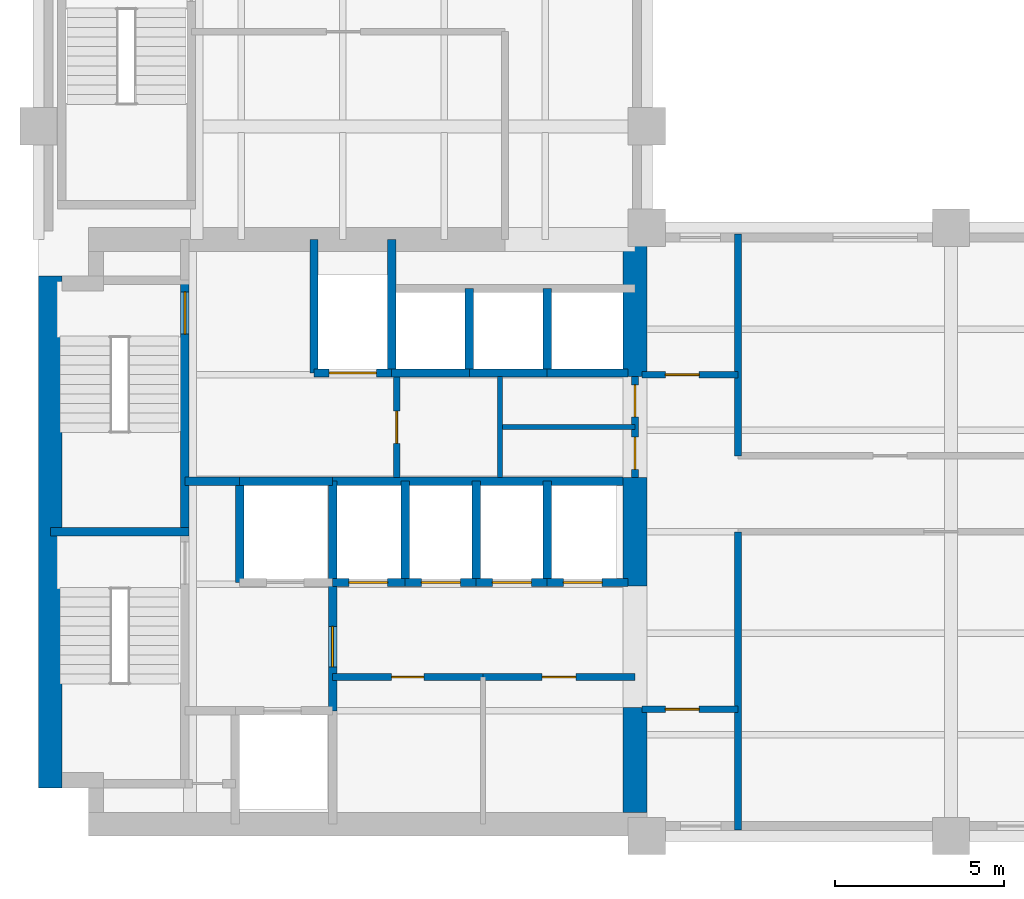
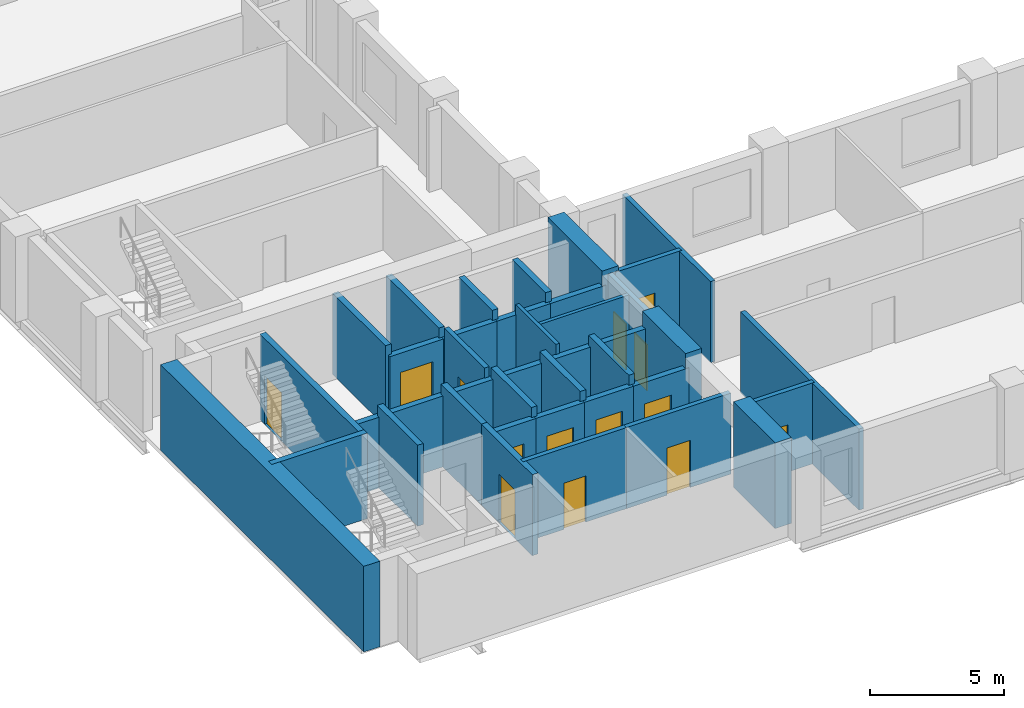
# One storey, part 3 of 7: 37 walls, 14 doors, 14 openings.
"""IFC4 building model written with IfcOpenShell, lengths in metres."""

from ifc_helpers import new_model, si_unit, direction, frame, frame_2d, origin, place, context, subcontext, project, spatial, rectangle, extrude, material, layer, layer_set, type_object, element, fill, save


model = new_model("IFC4")

# Units and contexts
model_context = context("Model", 3, precision=1e-05, world=origin(), true_north=direction((0.0, 1.0)))
body_context = subcontext(model_context, "Body", "Model", "MODEL_VIEW")
ifc_project = project(units=[si_unit("LENGTHUNIT", "METRE"), si_unit("AREAUNIT", "SQUARE_METRE"), si_unit("VOLUMEUNIT", "CUBIC_METRE"), si_unit("PLANEANGLEUNIT", "RADIAN"), si_unit("MASSUNIT", "GRAM", prefix="KILO")], contexts=[model_context])

# Site, building, storey
site_placement = place(None, origin())
site = spatial("IfcSite", under=ifc_project, at=site_placement, CompositionType="ELEMENT")
building_placement = place(site_placement, origin())
building = spatial("IfcBuilding", under=site, at=building_placement, Name="Mawjdan Bourse Tower", CompositionType="ELEMENT")
storey_placement = place(building_placement, frame((0.0, 0.0, 112.800048828125)))
storey = spatial("IfcBuildingStorey", under=building, at=storey_placement, Name="L26", CompositionType="ELEMENT", Elevation=112.800048828125)

# Wall, opening, door
ifc_material_1 = material(Name="Gypsum Fireboard Assembly")
ifc_layer_1 = layer(ifc_material_1, 0.199951171875)
ifc_layer_set_1 = layer_set([ifc_layer_1], Name="Gypsum Fireboard Assembly")
wall_type_1 = type_object("IfcWallType", Name="WL-CMP-200", PredefinedType="PARTITIONING", material=ifc_layer_set_1)
wall_1_placement = place(storey_placement, frame((14.699951171875, 7.699951171875, 0.0), z_axis=(0.0, 0.0, 1.0), x_axis=(1.0, 0.0, 0.0)))
wall_1 = element("IfcWall", 1, at=wall_1_placement, inside=storey, type_object=wall_type_1, Name="L26 Staff Tea Pantry North Wall", PredefinedType="PARTITIONING", context=body_context, shape_type="SweptSolid", body=[
    extrude(rectangle(XDim=4.449951171875, YDim=0.199951171875, at=frame_2d((2.22509765625, 0.0))), origin(), (0.0, 0.0, 1.0), 3.68994140625),
])
opening_1_placement = place(wall_1_placement, frame((1.75, 0.0, 0.0)))
opening_1 = element("IfcOpeningElement", 2, at=opening_1_placement, cuts=wall_1, Name="Opening D-L26-10", PredefinedType="OPENING", context=body_context, shape_type="SweptSolid", body=[
    extrude(rectangle(XDim=0.949951171875, YDim=2.10009765625, at=frame_2d((0.47509765625, 1.050048828125))), frame((0.0, 0.10986328125, 0.0), z_axis=(0.0, -1.0, 0.0), x_axis=(1.0, 0.0, 0.0)), (0.0, 0.0, 1.0), 0.219970703125),
])
ifc_material_2 = material(Name="Moisture-Resistant Laminate Timber", Category="wood")
door_type_1 = type_object("IfcDoorType", Name="DR-WET-0950", OperationType="NOTDEFINED", PredefinedType="DOOR", material=ifc_material_2)
door_1_placement = place(opening_1_placement, origin())
door_1 = element("IfcDoor", 3, at=door_1_placement, inside=storey, type_object=door_type_1, Name="L26 Staff Tea Pantry Door D-L26-10", OperationType="SINGLE_SWING_LEFT", OverallHeight=2.10009765625, OverallWidth=0.949951171875, PredefinedType="DOOR", context=body_context, shape_type="SweptSolid", body=[
    extrude(rectangle(XDim=0.949951171875, YDim=2.10009765625, at=frame_2d((0.47509765625, 1.050048828125))), frame((0.0, 0.02490234375, 0.0), z_axis=(0.0, -1.0, 0.0), x_axis=(1.0, 0.0, 0.0)), (0.0, 0.0, 1.0), 0.050048828125),
])
fill(opening_1, door_1)

wall_2_placement = place(storey_placement, frame((19.14990234375, 7.699951171875, 0.0), z_axis=(0.0, 0.0, 1.0), x_axis=(1.0, 0.0, 0.0)))
wall_2 = element("IfcWall", 4, at=wall_2_placement, inside=storey, type_object=wall_type_1, Name="L26 Document Custody Office North Wall", PredefinedType="PARTITIONING", context=body_context, shape_type="SweptSolid", body=[
    extrude(rectangle(XDim=4.5, YDim=0.199951171875, at=frame_2d((2.25, 0.0))), origin(), (0.0, 0.0, 1.0), 3.68994140625),
])
opening_2_placement = place(wall_2_placement, frame((1.75, 0.0, 0.0)))
opening_2 = element("IfcOpeningElement", 5, at=opening_2_placement, cuts=wall_2, Name="Opening D-L26-11", PredefinedType="OPENING", context=body_context, shape_type="SweptSolid", body=[
    extrude(rectangle(XDim=1.0, YDim=2.14990234375, at=frame_2d((0.5, 1.074951171875))), frame((0.0, 0.10986328125, 0.0), z_axis=(0.0, -1.0, 0.0), x_axis=(1.0, 0.0, 0.0)), (0.0, 0.0, 1.0), 0.219970703125),
])
ifc_material_3 = material(Name="Hardwood Acoustic Leaf", Category="wood")
door_type_2 = type_object("IfcDoorType", Name="DR-OFC-1000", OperationType="NOTDEFINED", PredefinedType="DOOR", material=ifc_material_3)
door_2_placement = place(opening_2_placement, origin())
door_2 = element("IfcDoor", 6, at=door_2_placement, inside=storey, type_object=door_type_2, Name="L26 Document Custody Office Door D-L26-11", OperationType="SINGLE_SWING_RIGHT", OverallHeight=2.14990234375, OverallWidth=1.0, PredefinedType="DOOR", context=body_context, shape_type="SweptSolid", body=[
    extrude(rectangle(XDim=1.0, YDim=2.14990234375, at=frame_2d((0.5, 1.074951171875))), frame((0.0, 0.02490234375, 0.0), z_axis=(0.0, -1.0, 0.0), x_axis=(1.0, 0.0, 0.0)), (0.0, 0.0, 1.0), 0.050048828125),
])
fill(opening_2, door_2)

wall_3_placement = place(storey_placement, frame((16.60009765625, 13.60009765625, 0.0), z_axis=(0.0, 0.0, 1.0), x_axis=(0.0, 1.0, 0.0)))
wall_3 = element("IfcWall", 7, at=wall_3_placement, inside=storey, type_object=wall_type_1, Name="L26 Core Restroom West Wall", PredefinedType="PARTITIONING", context=body_context, shape_type="SweptSolid", body=[
    extrude(rectangle(XDim=3.0, YDim=0.199951171875, at=frame_2d((1.5, 0.0))), origin(), (0.0, 0.0, 1.0), 3.68994140625),
])
opening_3_placement = place(wall_3_placement, frame((1.02001953125, 0.0, 0.0)))
opening_3 = element("IfcOpeningElement", 8, at=opening_3_placement, cuts=wall_3, Name="Opening D-L26-16", PredefinedType="OPENING", context=body_context, shape_type="SweptSolid", body=[
    extrude(rectangle(XDim=0.949951171875, YDim=2.10009765625, at=frame_2d((0.47509765625, 1.050048828125))), frame((0.0, 0.10986328125, 0.0), z_axis=(0.0, -1.0, 0.0), x_axis=(1.0, 0.0, 0.0)), (0.0, 0.0, 1.0), 0.219970703125),
])
door_3_placement = place(opening_3_placement, origin())
door_3 = element("IfcDoor", 9, at=door_3_placement, inside=storey, type_object=door_type_1, Name="L26 Male Restroom Entry Door D-L26-16", OperationType="SINGLE_SWING_LEFT", OverallHeight=2.10009765625, OverallWidth=0.949951171875, PredefinedType="DOOR", context=body_context, shape_type="SweptSolid", body=[
    extrude(rectangle(XDim=0.949951171875, YDim=2.10009765625, at=frame_2d((0.47509765625, 1.050048828125))), frame((0.0, 0.02490234375, 0.0), z_axis=(0.0, -1.0, 0.0), x_axis=(1.0, 0.0, 0.0)), (0.0, 0.0, 1.0), 0.050048828125),
])
fill(opening_3, door_3)

# Wall, openings, doors
wall_4_placement = place(storey_placement, frame((23.64990234375, 13.60009765625, 0.0), z_axis=(0.0, 0.0, 1.0), x_axis=(0.0, 1.0, 0.0)))
wall_4 = element("IfcWall", 10, at=wall_4_placement, inside=storey, type_object=wall_type_1, Name="L26 Core Restroom East Enclosing Wall", PredefinedType="PARTITIONING", context=body_context, shape_type="SweptSolid", body=[
    extrude(rectangle(XDim=3.0, YDim=0.199951171875, at=frame_2d((1.5, 0.0))), origin(), (0.0, 0.0, 1.0), 3.68994140625),
])
opening_4_placement = place(wall_4_placement, frame((0.25, 0.0, 0.0)))
opening_4 = element("IfcOpeningElement", 11, at=opening_4_placement, cuts=wall_4, Name="Opening D-L26-17", PredefinedType="OPENING", context=body_context, shape_type="SweptSolid", body=[
    extrude(rectangle(XDim=0.949951171875, YDim=2.10009765625, at=frame_2d((0.47509765625, 1.050048828125))), frame((0.0, 0.10986328125, 0.0), z_axis=(0.0, -1.0, 0.0), x_axis=(1.0, 0.0, 0.0)), (0.0, 0.0, 1.0), 0.219970703125),
])
opening_5_placement = place(wall_4_placement, frame((1.800048828125, 0.0, 0.0)))
opening_5 = element("IfcOpeningElement", 12, at=opening_5_placement, cuts=wall_4, Name="Opening D-L26-18", PredefinedType="OPENING", context=body_context, shape_type="SweptSolid", body=[
    extrude(rectangle(XDim=0.949951171875, YDim=2.10009765625, at=frame_2d((0.47509765625, 1.050048828125))), frame((0.0, 0.10986328125, 0.0), z_axis=(0.0, -1.0, 0.0), x_axis=(1.0, 0.0, 0.0)), (0.0, 0.0, 1.0), 0.219970703125),
])
door_4_placement = place(opening_4_placement, origin())
door_4 = element("IfcDoor", 13, at=door_4_placement, inside=storey, type_object=door_type_1, Name="L26 Accessible WC East Entry Door D-L26-17", OperationType="SINGLE_SWING_RIGHT", OverallHeight=2.10009765625, OverallWidth=0.949951171875, PredefinedType="DOOR", context=body_context, shape_type="SweptSolid", body=[
    extrude(rectangle(XDim=0.949951171875, YDim=2.10009765625, at=frame_2d((0.47509765625, 1.050048828125))), frame((0.0, 0.02490234375, 0.0), z_axis=(0.0, -1.0, 0.0), x_axis=(1.0, 0.0, 0.0)), (0.0, 0.0, 1.0), 0.050048828125),
])
fill(opening_4, door_4)
door_5_placement = place(opening_5_placement, origin())
door_5 = element("IfcDoor", 14, at=door_5_placement, inside=storey, type_object=door_type_1, Name="L26 Female Restroom East Entry Door D-L26-18", OperationType="SINGLE_SWING_LEFT", OverallHeight=2.10009765625, OverallWidth=0.949951171875, PredefinedType="DOOR", context=body_context, shape_type="SweptSolid", body=[
    extrude(rectangle(XDim=0.949951171875, YDim=2.10009765625, at=frame_2d((0.47509765625, 1.050048828125))), frame((0.0, 0.02490234375, 0.0), z_axis=(0.0, -1.0, 0.0), x_axis=(1.0, 0.0, 0.0)), (0.0, 0.0, 1.0), 0.050048828125),
])
fill(opening_5, door_5)

# Wall, opening, door
wall_5_placement = place(storey_placement, frame((23.85009765625, 6.75, 0.0), z_axis=(0.0, 0.0, 1.0), x_axis=(1.0, 0.0, 0.0)))
wall_5 = element("IfcWall", 15, at=wall_5_placement, inside=storey, type_object=wall_type_1, Name="L26 West Pocket North Wall", PredefinedType="PARTITIONING", context=body_context, shape_type="SweptSolid", body=[
    extrude(rectangle(XDim=2.849853515625, YDim=0.199951171875, at=frame_2d((1.4248046875, 0.0))), origin(), (0.0, 0.0, 1.0), 3.68994140625),
])
opening_6_placement = place(wall_5_placement, frame((0.699951171875, 0.0, 0.0)))
opening_6 = element("IfcOpeningElement", 16, at=opening_6_placement, cuts=wall_5, Name="Opening D-L26-20", PredefinedType="OPENING", context=body_context, shape_type="SweptSolid", body=[
    extrude(rectangle(XDim=1.0, YDim=2.14990234375, at=frame_2d((0.5, 1.074951171875))), frame((0.0, 0.10986328125, 0.0), z_axis=(0.0, -1.0, 0.0), x_axis=(1.0, 0.0, 0.0)), (0.0, 0.0, 1.0), 0.219970703125),
])
door_6_placement = place(opening_6_placement, origin())
door_6 = element("IfcDoor", 17, at=door_6_placement, inside=storey, type_object=door_type_2, Name="L26 West Pocket Office Door D-L26-20", OperationType="SINGLE_SWING_LEFT", OverallHeight=2.14990234375, OverallWidth=1.0, PredefinedType="DOOR", context=body_context, shape_type="SweptSolid", body=[
    extrude(rectangle(XDim=1.0, YDim=2.14990234375, at=frame_2d((0.5, 1.074951171875))), frame((0.0, 0.02490234375, 0.0), z_axis=(0.0, -1.0, 0.0), x_axis=(1.0, 0.0, 0.0)), (0.0, 0.0, 1.0), 0.050048828125),
])
fill(opening_6, door_6)

wall_6_placement = place(storey_placement, frame((23.85009765625, 16.64990234375, 0.0), z_axis=(0.0, 0.0, 1.0), x_axis=(1.0, 0.0, 0.0)))
wall_6 = element("IfcWall", 18, at=wall_6_placement, inside=storey, type_object=wall_type_1, Name="L26 West North Pocket Wall", PredefinedType="PARTITIONING", context=body_context, shape_type="SweptSolid", body=[
    extrude(rectangle(XDim=2.849853515625, YDim=0.199951171875, at=frame_2d((1.4248046875, 0.0))), origin(), (0.0, 0.0, 1.0), 3.68994140625),
])
opening_7_placement = place(wall_6_placement, frame((0.699951171875, 0.0, 0.0)))
opening_7 = element("IfcOpeningElement", 19, at=opening_7_placement, cuts=wall_6, Name="Opening D-L26-21", PredefinedType="OPENING", context=body_context, shape_type="SweptSolid", body=[
    extrude(rectangle(XDim=1.0, YDim=2.14990234375, at=frame_2d((0.5, 1.074951171875))), frame((0.0, 0.10986328125, 0.0), z_axis=(0.0, -1.0, 0.0), x_axis=(1.0, 0.0, 0.0)), (0.0, 0.0, 1.0), 0.219970703125),
])
door_7_placement = place(opening_7_placement, origin())
door_7 = element("IfcDoor", 20, at=door_7_placement, inside=storey, type_object=door_type_2, Name="L26 West North Pocket Door D-L26-21", OperationType="SINGLE_SWING_RIGHT", OverallHeight=2.14990234375, OverallWidth=1.0, PredefinedType="DOOR", context=body_context, shape_type="SweptSolid", body=[
    extrude(rectangle(XDim=1.0, YDim=2.14990234375, at=frame_2d((0.5, 1.074951171875))), frame((0.0, 0.02490234375, 0.0), z_axis=(0.0, -1.0, 0.0), x_axis=(1.0, 0.0, 0.0)), (0.0, 0.0, 1.0), 0.050048828125),
])
fill(opening_7, door_7)

# Walls
wall_7_placement = place(storey_placement, frame((26.699951171875, 3.179931640625, 0.0), z_axis=(0.0, 0.0, 1.0), x_axis=(0.0, 1.0, 0.0)))
element("IfcWall", 21, at=wall_7_placement, inside=storey, type_object=wall_type_1, Name="L26 Vestibule South East Wall", PredefinedType="PARTITIONING", context=body_context, shape_type="SweptSolid", body=[
    extrude(rectangle(XDim=8.820068359375, YDim=0.199951171875, at=frame_2d((4.41015625, 0.0))), origin(), (0.0, 0.0, 1.0), 3.68994140625),
])
wall_8_placement = place(storey_placement, frame((26.699951171875, 14.25, 0.0), z_axis=(0.0, 0.0, 1.0), x_axis=(0.0, 1.0, 0.0)))
element("IfcWall", 22, at=wall_8_placement, inside=storey, type_object=wall_type_1, Name="L26 Vestibule North East Wall", PredefinedType="PARTITIONING", context=body_context, shape_type="SweptSolid", body=[
    extrude(rectangle(XDim=6.570068359375, YDim=0.199951171875, at=frame_2d((3.28515625, 0.0))), origin(), (0.0, 0.0, 1.0), 3.68994140625),
])
ifc_material_4 = material(Name="Concrete C70/85", Category="concrete")
ifc_layer_2 = layer(ifc_material_4, 0.699951171875)
ifc_layer_set_2 = layer_set([ifc_layer_2], Name="Concrete C70/85")
wall_type_2 = type_object("IfcWallType", Name="WL-CORE-700", PredefinedType="SHEAR", material=ifc_layer_set_2)
wall_9_placement = place(storey_placement, frame((6.35009765625, 4.425048828125, 0.0), z_axis=(0.0, 0.0, 1.0), x_axis=(0.0, 1.0, 0.0)))
element("IfcWall", 23, at=wall_9_placement, inside=storey, type_object=wall_type_2, Name="L26 Rear Core Shear Wall W", PredefinedType="SHEAR", context=body_context, shape_type="SweptSolid", body=[
    extrude(rectangle(XDim=15.14990234375, YDim=0.699951171875, at=frame_2d((7.574951171875, 0.0))), origin(), (0.0, 0.0, 1.0), 3.89990234375),
])
wall_10_placement = place(storey_placement, frame((23.64990234375, 3.699951171875, 0.0), z_axis=(0.0, 0.0, 1.0), x_axis=(0.0, 1.0, 0.0)))
element("IfcWall", 24, at=wall_10_placement, inside=storey, type_object=wall_type_2, Name="L26 Rear Core Shear Wall E1", PredefinedType="SHEAR", context=body_context, shape_type="SweptSolid", body=[
    extrude(rectangle(XDim=3.10009765625, YDim=0.699951171875, at=frame_2d((1.550048828125, 0.0))), origin(), (0.0, 0.0, 1.0), 3.89990234375),
])
wall_11_placement = place(storey_placement, frame((23.64990234375, 10.39990234375, 0.0), z_axis=(0.0, 0.0, 1.0), x_axis=(0.0, 1.0, 0.0)))
element("IfcWall", 25, at=wall_11_placement, inside=storey, type_object=wall_type_2, Name="L26 Rear Core Shear Wall E2", PredefinedType="SHEAR", context=body_context, shape_type="SweptSolid", body=[
    extrude(rectangle(XDim=3.2001953125, YDim=0.699951171875, at=frame_2d((1.60009765625, 0.0))), origin(), (0.0, 0.0, 1.0), 3.89990234375),
])
wall_12_placement = place(storey_placement, frame((23.64990234375, 16.60009765625, 0.0), z_axis=(0.0, 0.0, 1.0), x_axis=(0.0, 1.0, 0.0)))
element("IfcWall", 26, at=wall_12_placement, inside=storey, type_object=wall_type_2, Name="L26 Rear Core Shear Wall E3", PredefinedType="SHEAR", context=body_context, shape_type="SweptSolid", body=[
    extrude(rectangle(XDim=4.0498046875, YDim=0.699951171875, at=frame_2d((2.02490234375, 0.0))), origin(), (0.0, 0.0, 1.0), 3.89990234375),
])
ifc_material_5 = material(Name="Gypsum Acoustic Partition")
ifc_layer_3 = layer(ifc_material_5, 0.14990234375)
ifc_layer_set_3 = layer_set([ifc_layer_3], Name="Gypsum Acoustic Partition")
wall_type_3 = type_object("IfcWallType", Name="WL-PRT-150", PredefinedType="PARTITIONING", material=ifc_layer_set_3)
wall_13_placement = place(storey_placement, frame((19.64990234375, 13.60009765625, 0.0), z_axis=(0.0, 0.0, 1.0), x_axis=(0.0, 1.0, 0.0)))
element("IfcWall", 27, at=wall_13_placement, inside=storey, type_object=wall_type_3, Name="L26 Core Restroom Vertical Split", PredefinedType="PARTITIONING", context=body_context, shape_type="SweptSolid", body=[
    extrude(rectangle(XDim=3.0, YDim=0.14990234375, at=frame_2d((1.5, 0.0))), origin(), (0.0, 0.0, 1.0), 3.68994140625),
])
wall_14_placement = place(storey_placement, frame((19.64990234375, 15.10009765625, 0.0), z_axis=(0.0, 0.0, 1.0), x_axis=(1.0, 0.0, 0.0)))
element("IfcWall", 28, at=wall_14_placement, inside=storey, type_object=wall_type_3, Name="L26 Core Restroom East Horizontal Split", PredefinedType="PARTITIONING", context=body_context, shape_type="SweptSolid", body=[
    extrude(rectangle(XDim=4.0, YDim=0.14990234375, at=frame_2d((2.0, 0.0))), origin(), (0.0, 0.0, 1.0), 3.68994140625),
])
ifc_material_6 = material(Name="Concrete C50/60", Category="concrete")
ifc_layer_4 = layer(ifc_material_6, 0.25)
ifc_layer_set_4 = layer_set([ifc_layer_4], Name="Concrete C50/60")
wall_type_4 = type_object("IfcWallType", Name="WL-SHFT-250", PredefinedType="PARTITIONING", material=ifc_layer_set_4)
wall_15_placement = place(storey_placement, frame((11.949951171875, 10.5, 0.0), z_axis=(0.0, 0.0, 1.0), x_axis=(0.0, 1.0, 0.0)))
element("IfcWall", 29, at=wall_15_placement, inside=storey, type_object=wall_type_4, Name="L26 FFL-02 West Shaft Wall", PredefinedType="PARTITIONING", context=body_context, shape_type="SweptSolid", body=[
    extrude(rectangle(XDim=3.0, YDim=0.25, at=frame_2d((1.5, 0.0))), origin(), (0.0, 0.0, 1.0), 3.68994140625),
])
wall_16_placement = place(storey_placement, frame((11.949951171875, 13.5, 0.0), z_axis=(0.0, 0.0, 1.0), x_axis=(1.0, 0.0, 0.0)))
element("IfcWall", 30, at=wall_16_placement, inside=storey, type_object=wall_type_4, Name="L26 FFL-02 North Shaft Wall", PredefinedType="PARTITIONING", context=body_context, shape_type="SweptSolid", body=[
    extrude(rectangle(XDim=2.75, YDim=0.25, at=frame_2d((1.375, 0.0))), origin(), (0.0, 0.0, 1.0), 3.22705078125),
])
wall_17_placement = place(storey_placement, frame((14.699951171875, 10.5, 0.0), z_axis=(0.0, 0.0, 1.0), x_axis=(0.0, 1.0, 0.0)))
element("IfcWall", 31, at=wall_17_placement, inside=storey, type_object=wall_type_4, Name="L26 FFL-02 East Shaft Wall", PredefinedType="PARTITIONING", context=body_context, shape_type="SweptSolid", body=[
    extrude(rectangle(XDim=3.0, YDim=0.25, at=frame_2d((1.5, 0.0))), origin(), (0.0, 0.0, 1.0), 3.68994140625),
])

# Wall, opening, door
wall_18_placement = place(storey_placement, frame((14.699951171875, 6.699951171875, 0.0), z_axis=(0.0, 0.0, 1.0), x_axis=(0.0, 1.0, 0.0)))
wall_18 = element("IfcWall", 32, at=wall_18_placement, inside=storey, type_object=wall_type_4, Name="L26 Firefighting Lobby East Compartment Wall", PredefinedType="PARTITIONING", context=body_context, shape_type="SweptSolid", body=[
    extrude(rectangle(XDim=3.800048828125, YDim=0.25, at=frame_2d((1.89990234375, 0.0))), origin(), (0.0, 0.0, 1.0), 3.68994140625),
])
opening_8_placement = place(wall_18_placement, frame((1.300048828125, 0.0, 0.0)))
opening_8 = element("IfcOpeningElement", 33, at=opening_8_placement, cuts=wall_18, Name="Opening FD-L26-07", PredefinedType="OPENING", context=body_context, shape_type="SweptSolid", body=[
    extrude(rectangle(XDim=1.199951171875, YDim=2.199951171875, at=frame_2d((0.60009765625, 1.10009765625))), frame((0.0, 0.135009765625, 0.0), z_axis=(0.0, -1.0, 0.0), x_axis=(1.0, 0.0, 0.0)), (0.0, 0.0, 1.0), 0.27001953125),
])
ifc_material_7 = material(Name="Fire-Rated Steel Leaf", Category="steel")
door_type_3 = type_object("IfcDoorType", Name="FD-FFL-1200", OperationType="NOTDEFINED", PredefinedType="DOOR", material=ifc_material_7)
door_8_placement = place(opening_8_placement, origin())
door_8 = element("IfcDoor", 34, at=door_8_placement, inside=storey, type_object=door_type_3, Name="L26 Firefighting Lobby East Smoke Door FD-L26-07", OperationType="SINGLE_SWING_LEFT", OverallHeight=2.199951171875, OverallWidth=1.199951171875, PredefinedType="DOOR", context=body_context, shape_type="SweptSolid", body=[
    extrude(rectangle(XDim=1.199951171875, YDim=2.199951171875, at=frame_2d((0.60009765625, 1.10009765625))), frame((0.0, 0.02490234375, 0.0), z_axis=(0.0, -1.0, 0.0), x_axis=(1.0, 0.0, 0.0)), (0.0, 0.0, 1.0), 0.050048828125),
])
fill(opening_8, door_8)

# Wall
wall_19_placement = place(storey_placement, frame((10.330078125, 13.5, 0.0), z_axis=(0.0, 0.0, 1.0), x_axis=(1.0, 0.0, 0.0)))
element("IfcWall", 35, at=wall_19_placement, inside=storey, type_object=wall_type_4, Name="L26 Firefighting Lobby North Compartment Wall", PredefinedType="PARTITIONING", context=body_context, shape_type="SweptSolid", body=[
    extrude(rectangle(XDim=1.619873046875, YDim=0.25, at=frame_2d((0.81005859375, 0.0))), origin(), (0.0, 0.0, 1.0), 3.22705078125),
])

# Wall, opening, door
wall_20_placement = place(storey_placement, frame((14.14990234375, 16.699951171875, 0.0), z_axis=(0.0, 0.0, 1.0), x_axis=(1.0, 0.0, 0.0)))
wall_20 = element("IfcWall", 36, at=wall_20_placement, inside=storey, type_object=wall_type_4, Name="L26 SVL-01 Front Shaft Wall", PredefinedType="PARTITIONING", context=body_context, shape_type="SweptSolid", body=[
    extrude(rectangle(XDim=2.300048828125, YDim=0.25, at=frame_2d((1.14990234375, 0.0))), origin(), (0.0, 0.0, 1.0), 3.22705078125),
])
opening_9_placement = place(wall_20_placement, frame((0.449951171875, 0.0, 0.0)))
opening_9 = element("IfcOpeningElement", 37, at=opening_9_placement, cuts=wall_20, Name="Opening LD-L26-09", PredefinedType="OPENING", context=body_context, shape_type="SweptSolid", body=[
    extrude(rectangle(XDim=1.39990234375, YDim=2.35009765625, at=frame_2d((0.699951171875, 1.175048828125))), frame((0.0, 0.135009765625, 0.0), z_axis=(0.0, -1.0, 0.0), x_axis=(1.0, 0.0, 0.0)), (0.0, 0.0, 1.0), 0.27001953125),
])
ifc_material_8 = material(Name="Heavy-Duty Stainless Steel", Category="steel")
door_type_4 = type_object("IfcDoorType", Name="LD-SRV-1400", OperationType="DOUBLE_DOOR_SLIDING", PredefinedType="DOOR", material=ifc_material_8)
door_9_placement = place(opening_9_placement, origin())
door_9 = element("IfcDoor", 38, at=door_9_placement, inside=storey, type_object=door_type_4, Name="L26 Service Lift SVL-01 Landing Door LD-L26-09", OperationType="DOUBLE_DOOR_SLIDING", OverallHeight=2.35009765625, OverallWidth=1.39990234375, PredefinedType="DOOR", context=body_context, shape_type="SweptSolid", body=[
    extrude(rectangle(XDim=1.39990234375, YDim=2.35009765625, at=frame_2d((0.699951171875, 1.175048828125))), frame((0.0, 0.02490234375, 0.0), z_axis=(0.0, -1.0, 0.0), x_axis=(1.0, 0.0, 0.0)), (0.0, 0.0, 1.0), 0.050048828125),
])
fill(opening_9, door_9)

# Walls
for number, where, z_axis, x_axis, name in (
    (39, (14.14990234375, 16.699951171875, 0.0), (0.0, 0.0, 1.0), (0.0, 1.0, 0.0), "L26 SVL-01 West Shaft Wall"),
    (40, (16.449951171875, 16.699951171875, 0.0), (0.0, 0.0, 1.0), (0.0, 1.0, 0.0), "L26 SVL-01 East Shaft Wall"),
):
    element("IfcWall", number, at=place(storey_placement, frame(where, z_axis=z_axis, x_axis=x_axis)), inside=storey, type_object=wall_type_4, Name=name, PredefinedType="PARTITIONING", context=body_context, shape_type="SweptSolid", body=[
        extrude(rectangle(XDim=3.949951171875, YDim=0.25, at=frame_2d((1.97509765625, 0.0))), origin(), (0.0, 0.0, 1.0), 3.68994140625),
    ])
wall_21_placement = place(storey_placement, frame((16.449951171875, 16.699951171875, 0.0), z_axis=(0.0, 0.0, 1.0), x_axis=(1.0, 0.0, 0.0)))
element("IfcWall", 41, at=wall_21_placement, inside=storey, type_object=wall_type_4, Name="L26 PH-01 Front Wall", PredefinedType="PARTITIONING", context=body_context, shape_type="SweptSolid", body=[
    extrude(rectangle(XDim=2.300048828125, YDim=0.25, at=frame_2d((1.14990234375, 0.0))), origin(), (0.0, 0.0, 1.0), 3.22705078125),
])
wall_22_placement = place(storey_placement, frame((18.75, 16.699951171875, 0.0), z_axis=(0.0, 0.0, 1.0), x_axis=(0.0, 1.0, 0.0)))
element("IfcWall", 42, at=wall_22_placement, inside=storey, type_object=wall_type_4, Name="L26 PH-01 Divider Wall", PredefinedType="PARTITIONING", context=body_context, shape_type="SweptSolid", body=[
    extrude(rectangle(XDim=2.5, YDim=0.25, at=frame_2d((1.25, 0.0))), origin(), (0.0, 0.0, 1.0), 3.68994140625),
])
wall_23_placement = place(storey_placement, frame((18.75, 16.699951171875, 0.0), z_axis=(0.0, 0.0, 1.0), x_axis=(1.0, 0.0, 0.0)))
element("IfcWall", 43, at=wall_23_placement, inside=storey, type_object=wall_type_4, Name="L26 PH-02 Front Wall", PredefinedType="PARTITIONING", context=body_context, shape_type="SweptSolid", body=[
    extrude(rectangle(XDim=2.300048828125, YDim=0.25, at=frame_2d((1.14990234375, 0.0))), origin(), (0.0, 0.0, 1.0), 3.22705078125),
])
wall_24_placement = place(storey_placement, frame((21.050048828125, 16.699951171875, 0.0), z_axis=(0.0, 0.0, 1.0), x_axis=(0.0, 1.0, 0.0)))
element("IfcWall", 44, at=wall_24_placement, inside=storey, type_object=wall_type_4, Name="L26 PH-02 Divider Wall", PredefinedType="PARTITIONING", context=body_context, shape_type="SweptSolid", body=[
    extrude(rectangle(XDim=2.5, YDim=0.25, at=frame_2d((1.25, 0.0))), origin(), (0.0, 0.0, 1.0), 3.68994140625),
])
wall_25_placement = place(storey_placement, frame((21.050048828125, 16.699951171875, 0.0), z_axis=(0.0, 0.0, 1.0), x_axis=(1.0, 0.0, 0.0)))
element("IfcWall", 45, at=wall_25_placement, inside=storey, type_object=wall_type_4, Name="L26 PH-03 Front Wall", PredefinedType="PARTITIONING", context=body_context, shape_type="SweptSolid", body=[
    extrude(rectangle(XDim=2.39990234375, YDim=0.25, at=frame_2d((1.199951171875, 0.0))), origin(), (0.0, 0.0, 1.0), 3.22705078125),
])

# Wall, opening, door
wall_26_placement = place(storey_placement, frame((14.699951171875, 10.5, 0.0), z_axis=(0.0, 0.0, 1.0), x_axis=(1.0, 0.0, 0.0)))
wall_26 = element("IfcWall", 46, at=wall_26_placement, inside=storey, type_object=wall_type_4, Name="L26 PM-01 Front Wall", PredefinedType="PARTITIONING", context=body_context, shape_type="SweptSolid", body=[
    extrude(rectangle(XDim=2.150146484375, YDim=0.25, at=frame_2d((1.0751953125, 0.0))), origin(), (0.0, 0.0, 1.0), 3.22705078125),
])
opening_10_placement = place(wall_26_placement, frame((0.47998046875, 0.0, 0.0)))
opening_10 = element("IfcOpeningElement", 47, at=opening_10_placement, cuts=wall_26, Name="Opening LD-L26-12", PredefinedType="OPENING", context=body_context, shape_type="SweptSolid", body=[
    extrude(rectangle(XDim=1.14990234375, YDim=2.25, at=frame_2d((0.574951171875, 1.125))), frame((0.0, 0.135009765625, 0.0), z_axis=(0.0, -1.0, 0.0), x_axis=(1.0, 0.0, 0.0)), (0.0, 0.0, 1.0), 0.27001953125),
])
ifc_material_9 = material(Name="Brushed Stainless Steel", Category="steel")
door_type_5 = type_object("IfcDoorType", Name="LD-PAS-1150", OperationType="DOUBLE_DOOR_SLIDING", PredefinedType="DOOR", material=ifc_material_9)
door_10_placement = place(opening_10_placement, origin())
door_10 = element("IfcDoor", 48, at=door_10_placement, inside=storey, type_object=door_type_5, Name="L26 Lift PM-01 Landing Door LD-L26-12", OperationType="DOUBLE_DOOR_SLIDING", OverallHeight=2.25, OverallWidth=1.14990234375, PredefinedType="DOOR", context=body_context, shape_type="SweptSolid", body=[
    extrude(rectangle(XDim=1.14990234375, YDim=2.25, at=frame_2d((0.574951171875, 1.125))), frame((0.0, 0.02490234375, 0.0), z_axis=(0.0, -1.0, 0.0), x_axis=(1.0, 0.0, 0.0)), (0.0, 0.0, 1.0), 0.050048828125),
])
fill(opening_10, door_10)

# Wall
wall_27_placement = place(storey_placement, frame((16.85009765625, 10.5, 0.0), z_axis=(0.0, 0.0, 1.0), x_axis=(0.0, 1.0, 0.0)))
element("IfcWall", 49, at=wall_27_placement, inside=storey, type_object=wall_type_4, Name="L26 PM-01 Divider Wall", PredefinedType="PARTITIONING", context=body_context, shape_type="SweptSolid", body=[
    extrude(rectangle(XDim=3.0, YDim=0.25, at=frame_2d((1.5, 0.0))), origin(), (0.0, 0.0, 1.0), 3.68994140625),
])

# Wall, opening, door
wall_28_placement = place(storey_placement, frame((16.85009765625, 10.5, 0.0), z_axis=(0.0, 0.0, 1.0), x_axis=(1.0, 0.0, 0.0)))
wall_28 = element("IfcWall", 50, at=wall_28_placement, inside=storey, type_object=wall_type_4, Name="L26 PM-02 Front Wall", PredefinedType="PARTITIONING", context=body_context, shape_type="SweptSolid", body=[
    extrude(rectangle(XDim=2.099853515625, YDim=0.25, at=frame_2d((1.0498046875, 0.0))), origin(), (0.0, 0.0, 1.0), 3.22705078125),
])
opening_11_placement = place(wall_28_placement, frame((0.47998046875, 0.0, 0.0)))
opening_11 = element("IfcOpeningElement", 51, at=opening_11_placement, cuts=wall_28, Name="Opening LD-L26-13", PredefinedType="OPENING", context=body_context, shape_type="SweptSolid", body=[
    extrude(rectangle(XDim=1.14990234375, YDim=2.25, at=frame_2d((0.574951171875, 1.125))), frame((0.0, 0.135009765625, 0.0), z_axis=(0.0, -1.0, 0.0), x_axis=(1.0, 0.0, 0.0)), (0.0, 0.0, 1.0), 0.27001953125),
])
door_11_placement = place(opening_11_placement, origin())
door_11 = element("IfcDoor", 52, at=door_11_placement, inside=storey, type_object=door_type_5, Name="L26 Lift PM-02 Landing Door LD-L26-13", OperationType="DOUBLE_DOOR_SLIDING", OverallHeight=2.25, OverallWidth=1.14990234375, PredefinedType="DOOR", context=body_context, shape_type="SweptSolid", body=[
    extrude(rectangle(XDim=1.14990234375, YDim=2.25, at=frame_2d((0.574951171875, 1.125))), frame((0.0, 0.02490234375, 0.0), z_axis=(0.0, -1.0, 0.0), x_axis=(1.0, 0.0, 0.0)), (0.0, 0.0, 1.0), 0.050048828125),
])
fill(opening_11, door_11)

# Wall
wall_29_placement = place(storey_placement, frame((18.949951171875, 10.5, 0.0), z_axis=(0.0, 0.0, 1.0), x_axis=(0.0, 1.0, 0.0)))
element("IfcWall", 53, at=wall_29_placement, inside=storey, type_object=wall_type_4, Name="L26 PM-02 Divider Wall", PredefinedType="PARTITIONING", context=body_context, shape_type="SweptSolid", body=[
    extrude(rectangle(XDim=3.0, YDim=0.25, at=frame_2d((1.5, 0.0))), origin(), (0.0, 0.0, 1.0), 3.68994140625),
])

# Wall, opening, door
wall_30_placement = place(storey_placement, frame((18.949951171875, 10.5, 0.0), z_axis=(0.0, 0.0, 1.0), x_axis=(1.0, 0.0, 0.0)))
wall_30 = element("IfcWall", 54, at=wall_30_placement, inside=storey, type_object=wall_type_4, Name="L26 PM-03 Front Wall", PredefinedType="PARTITIONING", context=body_context, shape_type="SweptSolid", body=[
    extrude(rectangle(XDim=2.10009765625, YDim=0.25, at=frame_2d((1.050048828125, 0.0))), origin(), (0.0, 0.0, 1.0), 3.22705078125),
])
opening_12_placement = place(wall_30_placement, frame((0.47998046875, 0.0, 0.0)))
opening_12 = element("IfcOpeningElement", 55, at=opening_12_placement, cuts=wall_30, Name="Opening LD-L26-14", PredefinedType="OPENING", context=body_context, shape_type="SweptSolid", body=[
    extrude(rectangle(XDim=1.14990234375, YDim=2.25, at=frame_2d((0.574951171875, 1.125))), frame((0.0, 0.135009765625, 0.0), z_axis=(0.0, -1.0, 0.0), x_axis=(1.0, 0.0, 0.0)), (0.0, 0.0, 1.0), 0.27001953125),
])
door_12_placement = place(opening_12_placement, origin())
door_12 = element("IfcDoor", 56, at=door_12_placement, inside=storey, type_object=door_type_5, Name="L26 Lift PM-03 Landing Door LD-L26-14", OperationType="DOUBLE_DOOR_SLIDING", OverallHeight=2.25, OverallWidth=1.14990234375, PredefinedType="DOOR", context=body_context, shape_type="SweptSolid", body=[
    extrude(rectangle(XDim=1.14990234375, YDim=2.25, at=frame_2d((0.574951171875, 1.125))), frame((0.0, 0.02490234375, 0.0), z_axis=(0.0, -1.0, 0.0), x_axis=(1.0, 0.0, 0.0)), (0.0, 0.0, 1.0), 0.050048828125),
])
fill(opening_12, door_12)

# Wall
wall_31_placement = place(storey_placement, frame((21.050048828125, 10.5, 0.0), z_axis=(0.0, 0.0, 1.0), x_axis=(0.0, 1.0, 0.0)))
element("IfcWall", 57, at=wall_31_placement, inside=storey, type_object=wall_type_4, Name="L26 PM-03 Divider Wall", PredefinedType="PARTITIONING", context=body_context, shape_type="SweptSolid", body=[
    extrude(rectangle(XDim=3.0, YDim=0.25, at=frame_2d((1.5, 0.0))), origin(), (0.0, 0.0, 1.0), 3.68994140625),
])

# Wall, opening, door
wall_32_placement = place(storey_placement, frame((21.050048828125, 10.5, 0.0), z_axis=(0.0, 0.0, 1.0), x_axis=(1.0, 0.0, 0.0)))
wall_32 = element("IfcWall", 58, at=wall_32_placement, inside=storey, type_object=wall_type_4, Name="L26 PM-04 Front Wall", PredefinedType="PARTITIONING", context=body_context, shape_type="SweptSolid", body=[
    extrude(rectangle(XDim=2.39990234375, YDim=0.25, at=frame_2d((1.199951171875, 0.0))), origin(), (0.0, 0.0, 1.0), 3.22705078125),
])
opening_13_placement = place(wall_32_placement, frame((0.47998046875, 0.0, 0.0)))
opening_13 = element("IfcOpeningElement", 59, at=opening_13_placement, cuts=wall_32, Name="Opening LD-L26-15", PredefinedType="OPENING", context=body_context, shape_type="SweptSolid", body=[
    extrude(rectangle(XDim=1.14990234375, YDim=2.25, at=frame_2d((0.574951171875, 1.125))), frame((0.0, 0.135009765625, 0.0), z_axis=(0.0, -1.0, 0.0), x_axis=(1.0, 0.0, 0.0)), (0.0, 0.0, 1.0), 0.27001953125),
])
door_13_placement = place(opening_13_placement, origin())
door_13 = element("IfcDoor", 60, at=door_13_placement, inside=storey, type_object=door_type_5, Name="L26 Lift PM-04 Landing Door LD-L26-15", OperationType="DOUBLE_DOOR_SLIDING", OverallHeight=2.25, OverallWidth=1.14990234375, PredefinedType="DOOR", context=body_context, shape_type="SweptSolid", body=[
    extrude(rectangle(XDim=1.14990234375, YDim=2.25, at=frame_2d((0.574951171875, 1.125))), frame((0.0, 0.02490234375, 0.0), z_axis=(0.0, -1.0, 0.0), x_axis=(1.0, 0.0, 0.0)), (0.0, 0.0, 1.0), 0.050048828125),
])
fill(opening_13, door_13)

# Walls
wall_33_placement = place(storey_placement, frame((14.699951171875, 13.5, 0.0), z_axis=(0.0, 0.0, 1.0), x_axis=(1.0, 0.0, 0.0)))
element("IfcWall", 61, at=wall_33_placement, inside=storey, type_object=wall_type_4, Name="L26 PM Bank North Shaft Back Wall", PredefinedType="PARTITIONING", context=body_context, shape_type="SweptSolid", body=[
    extrude(rectangle(XDim=8.949951171875, YDim=0.25, at=frame_2d((4.47509765625, 0.0))), origin(), (0.0, 0.0, 1.0), 3.22705078125),
])
ifc_layer_5 = layer(ifc_material_6, 0.25)
ifc_layer_set_5 = layer_set([ifc_layer_5], Name="Concrete C50/60")
wall_type_5 = type_object("IfcWallType", Name="WL-STRW-250", PredefinedType="SHEAR", material=ifc_layer_set_5)
wall_34_placement = place(storey_placement, frame((6.35009765625, 12.0, 0.0), z_axis=(0.0, 0.0, 1.0), x_axis=(1.0, 0.0, 0.0)))
element("IfcWall", 62, at=wall_34_placement, inside=storey, type_object=wall_type_5, Name="L26 Stairwell Dividing Shaft Wall", PredefinedType="SHEAR", context=body_context, shape_type="SweptSolid", body=[
    extrude(rectangle(XDim=4.10498046875, YDim=0.25, at=frame_2d((2.052490234375, 0.0))), origin(), (0.0, 0.0, 1.0), 3.89990234375),
])

# Wall, opening, door
wall_35_placement = place(storey_placement, frame((10.330078125, 12.0, 0.0), z_axis=(0.0, 0.0, 1.0), x_axis=(0.0, 1.0, 0.0)))
wall_35 = element("IfcWall", 63, at=wall_35_placement, inside=storey, type_object=wall_type_5, Name="L26 Stairwell ST2 East Enclosure Wall", PredefinedType="SHEAR", context=body_context, shape_type="SweptSolid", body=[
    extrude(rectangle(XDim=7.449951171875, YDim=0.25, at=frame_2d((3.72509765625, 0.0))), origin(), (0.0, 0.0, 1.0), 3.89990234375),
])
opening_14_placement = place(wall_35_placement, frame((5.85009765625, 0.0, 0.0)))
opening_14 = element("IfcOpeningElement", 64, at=opening_14_placement, cuts=wall_35, Name="Opening SD-L26-02", PredefinedType="OPENING", context=body_context, shape_type="SweptSolid", body=[
    extrude(rectangle(XDim=1.25, YDim=2.199951171875, at=frame_2d((0.625, 1.10009765625))), frame((0.0, 0.135009765625, 0.0), z_axis=(0.0, -1.0, 0.0), x_axis=(1.0, 0.0, 0.0)), (0.0, 0.0, 1.0), 0.27001953125),
])
door_type_6 = type_object("IfcDoorType", Name="FD-ST-1250", OperationType="NOTDEFINED", PredefinedType="DOOR", material=ifc_material_7)
door_14_placement = place(opening_14_placement, origin())
door_14 = element("IfcDoor", 65, at=door_14_placement, inside=storey, type_object=door_type_6, Name="L26 Exit Stair ST2 Fire Door SD-L26-02", OperationType="SINGLE_SWING_RIGHT", OverallHeight=2.199951171875, OverallWidth=1.25, PredefinedType="DOOR", context=body_context, shape_type="SweptSolid", body=[
    extrude(rectangle(XDim=1.25, YDim=2.199951171875, at=frame_2d((0.625, 1.10009765625))), frame((0.0, 0.02490234375, 0.0), z_axis=(0.0, -1.0, 0.0), x_axis=(1.0, 0.0, 0.0)), (0.0, 0.0, 1.0), 0.050048828125),
])
fill(opening_14, door_14)

save(model, "model.ifc")
